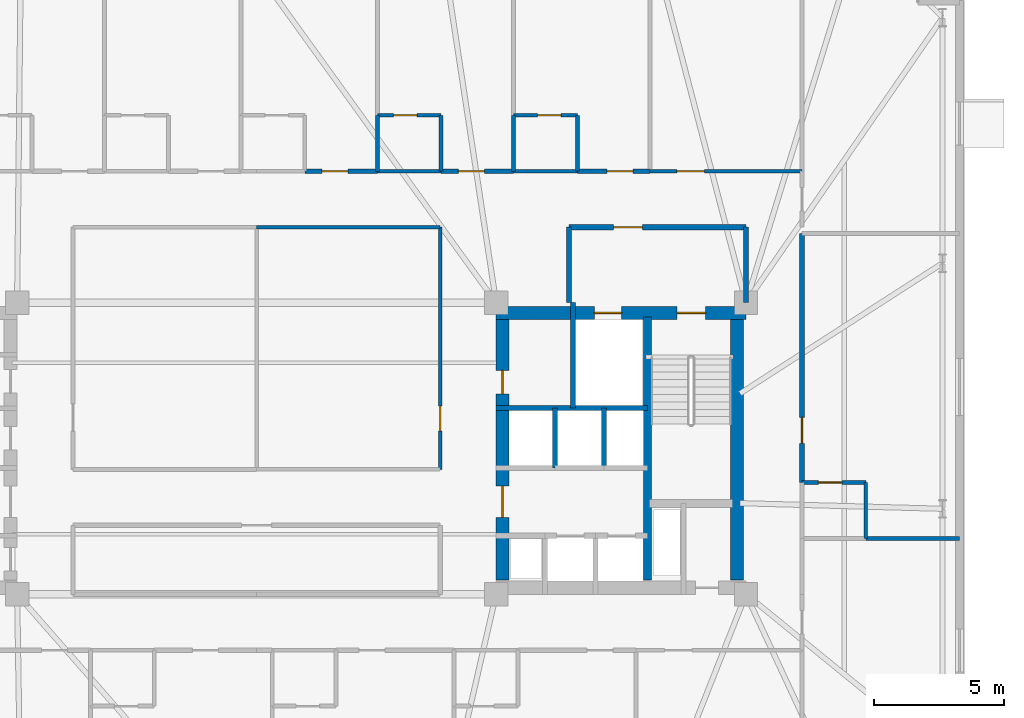
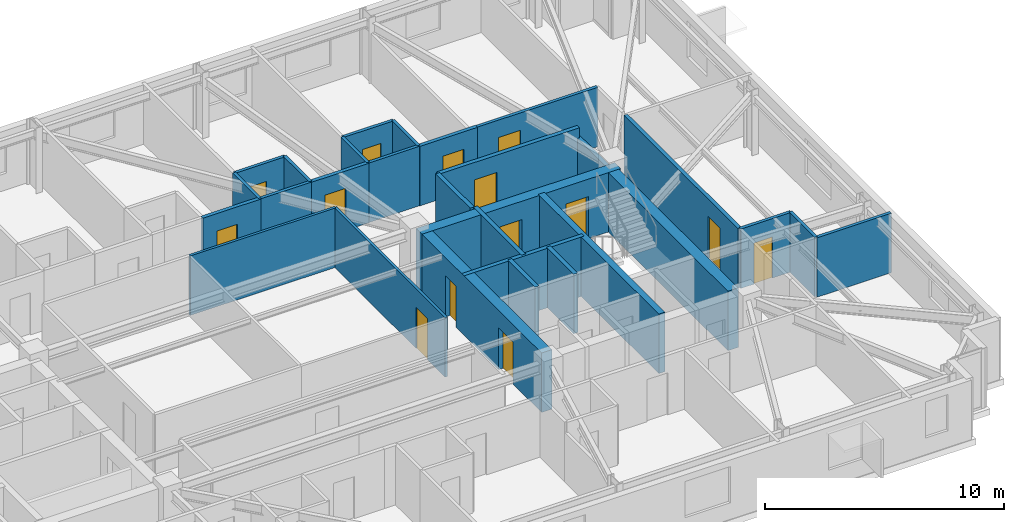
# One storey, part 14 of 17: 29 walls, 14 doors, 14 openings.
"""IFC4 building model written with IfcOpenShell, lengths in metres."""

from ifc_helpers import new_model, si_unit, direction, frame, frame_2d, origin, place, context, subcontext, project, spatial, rectangle, extrude, material, layer, layer_set, type_object, element, fill, save


model = new_model("IFC4")

# Units and contexts
model_context = context("Model", 3, precision=1e-05, world=origin(), true_north=direction((0.0, 1.0)))
body_context = subcontext(model_context, "Body", "Model", "MODEL_VIEW")
ifc_project = project(units=[si_unit("LENGTHUNIT", "METRE"), si_unit("AREAUNIT", "SQUARE_METRE"), si_unit("VOLUMEUNIT", "CUBIC_METRE"), si_unit("PLANEANGLEUNIT", "RADIAN"), si_unit("MASSUNIT", "GRAM", prefix="KILO")], contexts=[model_context])

# Site, building, storey
site_placement = place(None, origin())
site = spatial("IfcSite", under=ifc_project, at=site_placement, CompositionType="ELEMENT")
building_placement = place(site_placement, origin())
building = spatial("IfcBuilding", under=site, at=building_placement, Name="Qobustan Lattice House", CompositionType="ELEMENT")
storey_placement = place(building_placement, frame((0.0, 0.0, 144.39990234375)))
storey = spatial("IfcBuildingStorey", under=building, at=storey_placement, Name="L40", CompositionType="ELEMENT", Elevation=144.39990234375)

# Wall, openings, doors
ifc_material_1 = material(Name="Concrete C50/60", Category="concrete")
ifc_layer_1 = layer(ifc_material_1, 0.5)
ifc_layer_set_1 = layer_set([ifc_layer_1], Name="Concrete C50/60")
wall_type_1 = type_object("IfcWallType", Name="WAL-CORE-500", PredefinedType="SHEAR", material=ifc_layer_set_1)
wall_1_placement = place(storey_placement, frame((9.199951171875, 5.2099609375, 0.0), z_axis=(0.0, 0.0, 1.0), x_axis=(1.0, 0.0, 0.0)))
wall_1 = element("IfcWall", 1, at=wall_1_placement, inside=storey, type_object=wall_type_1, Name="L40 split-core shear wall CE-N", PredefinedType="SHEAR", context=body_context, shape_type="SweptSolid", body=[
    extrude(rectangle(XDim=9.60009765625, YDim=0.5, at=frame_2d((4.800048828125, 0.0))), origin(), (0.0, 0.0, 1.0), 3.0400390625),
])
opening_1_placement = place(wall_1_placement, frame((6.949951171875, 0.0, 0.0)))
opening_1 = element("IfcOpeningElement", 2, at=opening_1_placement, cuts=wall_1, Name="Opening SD-01", PredefinedType="OPENING", context=body_context, shape_type="SweptSolid", body=[
    extrude(rectangle(XDim=1.10009765625, YDim=2.14990234375, at=frame_2d((0.550048828125, 1.074951171875))), frame((0.0, 0.260009765625, 0.0), z_axis=(0.0, -1.0, 0.0), x_axis=(1.0, 0.0, 0.0)), (0.0, 0.0, 1.0), 0.52001953125),
])
opening_2_placement = place(wall_1_placement, frame((3.77490234375, 0.0, 0.0)))
opening_2 = element("IfcOpeningElement", 3, at=opening_2_placement, cuts=wall_1, Name="Opening LD-01", PredefinedType="OPENING", context=body_context, shape_type="SweptSolid", body=[
    extrude(rectangle(XDim=1.050048828125, YDim=2.10009765625, at=frame_2d((0.52490234375, 1.050048828125))), frame((0.0, 0.260009765625, 0.0), z_axis=(0.0, -1.0, 0.0), x_axis=(1.0, 0.0, 0.0)), (0.0, 0.0, 1.0), 0.52001953125),
])
ifc_material_2 = material(Name="Persian walnut timber and steel frame door", Category="steel")
door_type_1 = type_object("IfcDoorType", Name="DOR-LIFT-LD-1050x2100", OperationType="NOTDEFINED", PredefinedType="DOOR", material=ifc_material_2)
door_1_placement = place(opening_2_placement, origin())
door_1 = element("IfcDoor", 4, at=door_1_placement, inside=storey, type_object=door_type_1, Name="L40 firefighting lift FF-E landing door", OperationType="DOUBLE_DOOR_SLIDING", OverallHeight=2.10009765625, OverallWidth=1.050048828125, PredefinedType="DOOR", context=body_context, shape_type="SweptSolid", body=[
    extrude(rectangle(XDim=1.050048828125, YDim=2.10009765625, at=frame_2d((0.52490234375, 1.050048828125))), frame((0.0, 0.02490234375, 0.0), z_axis=(0.0, -1.0, 0.0), x_axis=(1.0, 0.0, 0.0)), (0.0, 0.0, 1.0), 0.050048828125),
])
fill(opening_2, door_1)
ifc_material_3 = material(Name="Persian walnut timber and steel frame door", Category="steel")
door_type_2 = type_object("IfcDoorType", Name="DOR-STAIR-FD-1100x2150", OperationType="NOTDEFINED", PredefinedType="DOOR", material=ifc_material_3)
door_2_placement = place(opening_1_placement, origin())
door_2 = element("IfcDoor", 5, at=door_2_placement, inside=storey, type_object=door_type_2, Name="L40 exit stair ST-E1 fire door", OperationType="SINGLE_SWING_RIGHT", OverallHeight=2.14990234375, OverallWidth=1.10009765625, PredefinedType="DOOR", context=body_context, shape_type="SweptSolid", body=[
    extrude(rectangle(XDim=1.10009765625, YDim=2.14990234375, at=frame_2d((0.550048828125, 1.074951171875))), frame((0.0, 0.02490234375, 0.0), z_axis=(0.0, -1.0, 0.0), x_axis=(1.0, 0.0, 0.0)), (0.0, 0.0, 1.0), 0.050048828125),
])
fill(opening_1, door_2)

wall_2_placement = place(storey_placement, frame((9.449951171875, -5.050048828125, 0.0), z_axis=(0.0, 0.0, 1.0), x_axis=(0.0, 1.0, 0.0)))
wall_2 = element("IfcWall", 6, at=wall_2_placement, inside=storey, type_object=wall_type_1, Name="L40 split-core shear wall CE-W", PredefinedType="SHEAR", context=body_context, shape_type="SweptSolid", body=[
    extrude(rectangle(XDim=10.10009765625, YDim=0.5, at=frame_2d((5.050048828125, 0.0))), origin(), (0.0, 0.0, 1.0), 3.0400390625),
])
opening_3_placement = place(wall_2_placement, frame((7.14990234375, 0.0, 0.0)))
opening_3 = element("IfcOpeningElement", 7, at=opening_3_placement, cuts=wall_2, Name="Opening RD-01", PredefinedType="OPENING", context=body_context, shape_type="SweptSolid", body=[
    extrude(rectangle(XDim=0.89990234375, YDim=2.10009765625, at=frame_2d((0.449951171875, 1.050048828125))), frame((0.0, 0.260009765625, 0.0), z_axis=(0.0, -1.0, 0.0), x_axis=(1.0, 0.0, 0.0)), (0.0, 0.0, 1.0), 0.52001953125),
])
opening_4_placement = place(wall_2_placement, frame((2.39990234375, 0.0, 0.0)))
opening_4 = element("IfcOpeningElement", 8, at=opening_4_placement, cuts=wall_2, Name="Opening FD-01", PredefinedType="OPENING", context=body_context, shape_type="SweptSolid", body=[
    extrude(rectangle(XDim=1.199951171875, YDim=2.14990234375, at=frame_2d((0.60009765625, 1.074951171875))), frame((0.0, 0.260009765625, 0.0), z_axis=(0.0, -1.0, 0.0), x_axis=(1.0, 0.0, 0.0)), (0.0, 0.0, 1.0), 0.52001953125),
])
ifc_material_4 = material(Name="Persian walnut timber and steel frame door", Category="steel")
door_type_3 = type_object("IfcDoorType", Name="DOR-LOBBY-FD-1200x2150", OperationType="NOTDEFINED", PredefinedType="DOOR", material=ifc_material_4)
door_3_placement = place(opening_4_placement, origin())
door_3 = element("IfcDoor", 9, at=door_3_placement, inside=storey, type_object=door_type_3, Name="L40 East passenger lift lobby fire door", OperationType="SINGLE_SWING_LEFT", OverallHeight=2.14990234375, OverallWidth=1.199951171875, PredefinedType="DOOR", context=body_context, shape_type="SweptSolid", body=[
    extrude(rectangle(XDim=1.199951171875, YDim=2.14990234375, at=frame_2d((0.60009765625, 1.074951171875))), frame((0.0, 0.02490234375, 0.0), z_axis=(0.0, -1.0, 0.0), x_axis=(1.0, 0.0, 0.0)), (0.0, 0.0, 1.0), 0.050048828125),
])
fill(opening_4, door_3)
ifc_material_5 = material(Name="Persian walnut timber and steel frame door", Category="steel")
door_type_4 = type_object("IfcDoorType", Name="DOR-RISER-FD-900x2100", OperationType="NOTDEFINED", PredefinedType="DOOR", material=ifc_material_5)
door_4_placement = place(opening_3_placement, origin())
door_4 = element("IfcDoor", 10, at=door_4_placement, inside=storey, type_object=door_type_4, Name="L40 Housekeeping linen store fire door", OperationType="SINGLE_SWING_RIGHT", OverallHeight=2.10009765625, OverallWidth=0.89990234375, PredefinedType="DOOR", context=body_context, shape_type="SweptSolid", body=[
    extrude(rectangle(XDim=0.89990234375, YDim=2.10009765625, at=frame_2d((0.449951171875, 1.050048828125))), frame((0.0, 0.02490234375, 0.0), z_axis=(0.0, -1.0, 0.0), x_axis=(1.0, 0.0, 0.0)), (0.0, 0.0, 1.0), 0.050048828125),
])
fill(opening_3, door_4)

# Walls
wall_3_placement = place(storey_placement, frame((18.4599609375, -5.050048828125, 0.0), z_axis=(0.0, 0.0, 1.0), x_axis=(0.0, 1.0, 0.0)))
element("IfcWall", 11, at=wall_3_placement, inside=storey, type_object=wall_type_1, Name="L40 split-core shear wall CE-E", PredefinedType="SHEAR", context=body_context, shape_type="SweptSolid", body=[
    extrude(rectangle(XDim=10.10009765625, YDim=0.5, at=frame_2d((5.050048828125, 0.0))), origin(), (0.0, 0.0, 1.0), 3.0400390625),
])
ifc_material_6 = material(Name="Concrete C50/60", Category="concrete")
ifc_layer_2 = layer(ifc_material_6, 0.280029296875)
ifc_layer_set_2 = layer_set([ifc_layer_2], Name="Concrete C50/60")
wall_type_2 = type_object("IfcWallType", Name="WAL-CORE-SPINE-280", PredefinedType="SHEAR", material=ifc_layer_set_2)
wall_4_placement = place(storey_placement, frame((15.02001953125, -5.050048828125, 0.0), z_axis=(0.0, 0.0, 1.0), x_axis=(0.0, 1.0, 0.0)))
element("IfcWall", 12, at=wall_4_placement, inside=storey, type_object=wall_type_2, Name="L40 split-core shear wall CE-M", PredefinedType="SHEAR", context=body_context, shape_type="SweptSolid", body=[
    extrude(rectangle(XDim=10.10009765625, YDim=0.300048828125, at=frame_2d((5.050048828125, 0.0))), origin(), (0.0, 0.0, 1.0), 3.0400390625),
])

# Wall, opening, door
ifc_material_7 = material(Name="Gypsum fireboard acoustic partition", Category="gypsum")
ifc_layer_3 = layer(ifc_material_7, 0.179931640625)
ifc_layer_set_3 = layer_set([ifc_layer_3], Name="Gypsum fireboard acoustic partition")
wall_type_3 = type_object("IfcWallType", Name="WAL-FIRE-180", PredefinedType="PARTITIONING", material=ifc_layer_set_3)
wall_5_placement = place(storey_placement, frame((1.85009765625, 10.64990234375, 0.0), z_axis=(0.0, 0.0, 1.0), x_axis=(1.0, 0.0, 0.0)))
wall_5 = element("IfcWall", 13, at=wall_5_placement, inside=storey, type_object=wall_type_3, Name="L40 interior partition 43", PredefinedType="PARTITIONING", context=body_context, shape_type="SweptSolid", body=[
    extrude(rectangle(XDim=2.787841796875, YDim=0.179931640625, at=frame_2d((1.39404296875, 0.0))), origin(), (0.0, 0.0, 1.0), 3.0400390625),
])
opening_5_placement = place(wall_5_placement, frame((0.658447265625, 0.0, 0.0)))
opening_5 = element("IfcOpeningElement", 14, at=opening_5_placement, cuts=wall_5, Name="Opening FD-02", PredefinedType="OPENING", context=body_context, shape_type="SweptSolid", body=[
    extrude(rectangle(XDim=1.0, YDim=2.14990234375, at=frame_2d((0.5, 1.074951171875))), frame((0.0, 0.099853515625, 0.0), z_axis=(0.0, -1.0, 0.0), x_axis=(1.0, 0.0, 0.0)), (0.0, 0.0, 1.0), 0.199951171875),
])
ifc_material_8 = material(Name="Persian walnut timber and steel frame door", Category="steel")
door_type_5 = type_object("IfcDoorType", Name="DOR-UNIT-FD-1000x2150", OperationType="NOTDEFINED", PredefinedType="DOOR", material=ifc_material_8)
door_5_placement = place(opening_5_placement, origin())
door_5 = element("IfcDoor", 15, at=door_5_placement, inside=storey, type_object=door_type_5, Name="L40 North-east floor corridor to Kitchenette and studio apartment L40-N5 door", OperationType="SINGLE_SWING_LEFT", OverallHeight=2.14990234375, OverallWidth=1.0, PredefinedType="DOOR", context=body_context, shape_type="SweptSolid", body=[
    extrude(rectangle(XDim=1.0, YDim=2.14990234375, at=frame_2d((0.5, 1.074951171875))), frame((0.0, 0.02490234375, 0.0), z_axis=(0.0, -1.0, 0.0), x_axis=(1.0, 0.0, 0.0)), (0.0, 0.0, 1.0), 0.050048828125),
])
fill(opening_5, door_5)

wall_6_placement = place(storey_placement, frame((7.087890625, 10.64990234375, 0.0), z_axis=(0.0, 0.0, 1.0), x_axis=(1.0, 0.0, 0.0)))
wall_6 = element("IfcWall", 16, at=wall_6_placement, inside=storey, type_object=wall_type_3, Name="L40 interior partition 45", PredefinedType="PARTITIONING", context=body_context, shape_type="SweptSolid", body=[
    extrude(rectangle(XDim=2.787109375, YDim=0.179931640625, at=frame_2d((1.3935546875, 0.0))), origin(), (0.0, 0.0, 1.0), 3.0400390625),
])
opening_6_placement = place(wall_6_placement, frame((0.658447265625, 0.0, 0.0)))
opening_6 = element("IfcOpeningElement", 17, at=opening_6_placement, cuts=wall_6, Name="Opening FD-02", PredefinedType="OPENING", context=body_context, shape_type="SweptSolid", body=[
    extrude(rectangle(XDim=1.0, YDim=2.14990234375, at=frame_2d((0.5, 1.074951171875))), frame((0.0, 0.099853515625, 0.0), z_axis=(0.0, -1.0, 0.0), x_axis=(1.0, 0.0, 0.0)), (0.0, 0.0, 1.0), 0.199951171875),
])
door_6_placement = place(opening_6_placement, origin())
door_6 = element("IfcDoor", 18, at=door_6_placement, inside=storey, type_object=door_type_5, Name="L40 North-east floor corridor to Kitchenette and studio apartment L40-N6 door", OperationType="SINGLE_SWING_RIGHT", OverallHeight=2.14990234375, OverallWidth=1.0, PredefinedType="DOOR", context=body_context, shape_type="SweptSolid", body=[
    extrude(rectangle(XDim=1.0, YDim=2.14990234375, at=frame_2d((0.5, 1.074951171875))), frame((0.0, 0.02490234375, 0.0), z_axis=(0.0, -1.0, 0.0), x_axis=(1.0, 0.0, 0.0)), (0.0, 0.0, 1.0), 0.050048828125),
])
fill(opening_6, door_6)

wall_7_placement = place(storey_placement, frame((12.324951171875, 10.64990234375, 0.0), z_axis=(0.0, 0.0, 1.0), x_axis=(1.0, 0.0, 0.0)))
wall_7 = element("IfcWall", 19, at=wall_7_placement, inside=storey, type_object=wall_type_3, Name="L40 interior partition 47", PredefinedType="PARTITIONING", context=body_context, shape_type="SweptSolid", body=[
    extrude(rectangle(XDim=2.7880859375, YDim=0.179931640625, at=frame_2d((1.39404296875, 0.0))), origin(), (0.0, 0.0, 1.0), 3.0400390625),
])
opening_7_placement = place(wall_7_placement, frame((1.12939453125, 0.0, 0.0)))
opening_7 = element("IfcOpeningElement", 20, at=opening_7_placement, cuts=wall_7, Name="Opening FD-02", PredefinedType="OPENING", context=body_context, shape_type="SweptSolid", body=[
    extrude(rectangle(XDim=1.0, YDim=2.14990234375, at=frame_2d((0.5, 1.074951171875))), frame((0.0, 0.099853515625, 0.0), z_axis=(0.0, -1.0, 0.0), x_axis=(1.0, 0.0, 0.0)), (0.0, 0.0, 1.0), 0.199951171875),
])
door_7_placement = place(opening_7_placement, origin())
door_7 = element("IfcDoor", 21, at=door_7_placement, inside=storey, type_object=door_type_5, Name="L40 North-east floor corridor to Kitchenette and studio apartment L40-N7 door", OperationType="SINGLE_SWING_LEFT", OverallHeight=2.14990234375, OverallWidth=1.0, PredefinedType="DOOR", context=body_context, shape_type="SweptSolid", body=[
    extrude(rectangle(XDim=1.0, YDim=2.14990234375, at=frame_2d((0.5, 1.074951171875))), frame((0.0, 0.02490234375, 0.0), z_axis=(0.0, -1.0, 0.0), x_axis=(1.0, 0.0, 0.0)), (0.0, 0.0, 1.0), 0.050048828125),
])
fill(opening_7, door_7)

wall_8_placement = place(storey_placement, frame((20.949951171875, 8.260009765625, 0.0), z_axis=(0.0, 0.0, 1.0), x_axis=(0.0, -1.0, 0.0)))
wall_8 = element("IfcWall", 22, at=wall_8_placement, inside=storey, type_object=wall_type_3, Name="L40 interior partition 70", PredefinedType="PARTITIONING", context=body_context, shape_type="SweptSolid", body=[
    extrude(rectangle(XDim=9.570068359375, YDim=0.179931640625, at=frame_2d((4.78515625, 0.0))), origin(), (0.0, 0.0, 1.0), 3.0400390625),
])
opening_8_placement = place(wall_8_placement, frame((7.063720703125, 0.0, 0.0)))
opening_8 = element("IfcOpeningElement", 23, at=opening_8_placement, cuts=wall_8, Name="Opening FD-02", PredefinedType="OPENING", context=body_context, shape_type="SweptSolid", body=[
    extrude(rectangle(XDim=1.0, YDim=2.14990234375, at=frame_2d((0.5, 1.074951171875))), frame((0.0, 0.099853515625, 0.0), z_axis=(0.0, -1.0, 0.0), x_axis=(1.0, 0.0, 0.0)), (0.0, 0.0, 1.0), 0.199951171875),
])
door_8_placement = place(opening_8_placement, origin())
door_8 = element("IfcDoor", 24, at=door_8_placement, inside=storey, type_object=door_type_5, Name="L40 East wing spine gallery to Kitchenette and studio apartment L40-E2 door", OperationType="SINGLE_SWING_RIGHT", OverallHeight=2.14990234375, OverallWidth=1.0, PredefinedType="DOOR", context=body_context, shape_type="SweptSolid", body=[
    extrude(rectangle(XDim=1.0, YDim=2.14990234375, at=frame_2d((0.5, 1.074951171875))), frame((0.0, 0.02490234375, 0.0), z_axis=(0.0, -1.0, 0.0), x_axis=(1.0, 0.0, 0.0)), (0.0, 0.0, 1.0), 0.050048828125),
])
fill(opening_8, door_8)

# Wall
ifc_material_9 = material(Name="Lightweight acoustic stud partition", Category="gypsum")
ifc_layer_4 = layer(ifc_material_9, 0.125)
ifc_layer_set_4 = layer_set([ifc_layer_4], Name="Lightweight acoustic stud partition")
wall_type_4 = type_object("IfcWallType", Name="WAL-PART-125", PredefinedType="PARTITIONING", material=ifc_layer_set_4)
wall_9_placement = place(storey_placement, frame((7.050048828125, 8.5, 0.0), z_axis=(0.0, 0.0, 1.0), x_axis=(-1.0, 0.0, 0.0)))
element("IfcWall", 25, at=wall_9_placement, inside=storey, type_object=wall_type_4, Name="L40 interior partition 50", PredefinedType="PARTITIONING", context=body_context, shape_type="SweptSolid", body=[
    extrude(rectangle(XDim=7.050048828125, YDim=0.125, at=frame_2d((3.52490234375, 0.0))), origin(), (0.0, 0.0, 1.0), 3.0400390625),
])

# Wall, opening, door
wall_10_placement = place(storey_placement, frame((7.050048828125, -0.800048828125, 0.0), z_axis=(0.0, 0.0, 1.0), x_axis=(0.0, 1.0, 0.0)))
wall_10 = element("IfcWall", 26, at=wall_10_placement, inside=storey, type_object=wall_type_4, Name="L40 interior partition 77", PredefinedType="PARTITIONING", context=body_context, shape_type="SweptSolid", body=[
    extrude(rectangle(XDim=9.300048828125, YDim=0.125, at=frame_2d((4.64990234375, 0.0))), origin(), (0.0, 0.0, 1.0), 3.0400390625),
])
opening_9_placement = place(wall_10_placement, frame((1.478759765625, 0.0, 0.0)))
opening_9 = element("IfcOpeningElement", 27, at=opening_9_placement, cuts=wall_10, Name="Opening ID-01", PredefinedType="OPENING", context=body_context, shape_type="SweptSolid", body=[
    extrude(rectangle(XDim=0.949951171875, YDim=2.10009765625, at=frame_2d((0.47509765625, 1.050048828125))), frame((0.0, 0.072509765625, 0.0), z_axis=(0.0, -1.0, 0.0), x_axis=(1.0, 0.0, 0.0)), (0.0, 0.0, 1.0), 0.14501953125),
])
ifc_material_10 = material(Name="Persian walnut timber and steel frame door", Category="steel")
door_type_6 = type_object("IfcDoorType", Name="DOR-ROOM-950x2100", OperationType="NOTDEFINED", PredefinedType="DOOR", material=ifc_material_10)
door_9_placement = place(opening_9_placement, origin())
door_9 = element("IfcDoor", 28, at=door_9_placement, inside=storey, type_object=door_type_6, Name="L40 East floor link corridor to Focus booth salon door", OperationType="SINGLE_SWING_LEFT", OverallHeight=2.10009765625, OverallWidth=0.949951171875, PredefinedType="DOOR", context=body_context, shape_type="SweptSolid", body=[
    extrude(rectangle(XDim=0.949951171875, YDim=2.10009765625, at=frame_2d((0.47509765625, 1.050048828125))), frame((0.0, 0.02490234375, 0.0), z_axis=(0.0, -1.0, 0.0), x_axis=(1.0, 0.0, 0.0)), (0.0, 0.0, 1.0), 0.050048828125),
])
fill(opening_9, door_9)

ifc_material_11 = material(Name="Acoustic twin-stud gypsum partition", Category="gypsum")
ifc_layer_5 = layer(ifc_material_11, 0.14990234375)
ifc_layer_set_5 = layer_set([ifc_layer_5], Name="Acoustic twin-stud gypsum partition")
wall_type_5 = type_object("IfcWallType", Name="WAL-PART-150", PredefinedType="PARTITIONING", material=ifc_layer_set_5)
wall_11_placement = place(storey_placement, frame((15.113037109375, 10.64990234375, 0.0), z_axis=(0.0, 0.0, 1.0), x_axis=(1.0, 0.0, 0.0)))
wall_11 = element("IfcWall", 29, at=wall_11_placement, inside=storey, type_object=wall_type_5, Name="L40 interior partition 49", PredefinedType="PARTITIONING", context=body_context, shape_type="SweptSolid", body=[
    extrude(rectangle(XDim=5.8369140625, YDim=0.14990234375, at=frame_2d((2.91845703125, 0.0))), origin(), (0.0, 0.0, 1.0), 3.0400390625),
])
opening_10_placement = place(wall_11_placement, frame((1.033447265625, 0.0, 0.0)))
opening_10 = element("IfcOpeningElement", 30, at=opening_10_placement, cuts=wall_11, Name="Opening ID-02", PredefinedType="OPENING", context=body_context, shape_type="SweptSolid", body=[
    extrude(rectangle(XDim=1.050048828125, YDim=2.14990234375, at=frame_2d((0.52490234375, 1.074951171875))), frame((0.0, 0.0849609375, 0.0), z_axis=(0.0, -1.0, 0.0), x_axis=(1.0, 0.0, 0.0)), (0.0, 0.0, 1.0), 0.169921875),
])
ifc_material_12 = material(Name="Persian walnut timber and steel frame door", Category="steel")
door_type_7 = type_object("IfcDoorType", Name="DOR-STUDY-1050x2150", OperationType="NOTDEFINED", PredefinedType="DOOR", material=ifc_material_12)
door_10_placement = place(opening_10_placement, origin())
door_10 = element("IfcDoor", 31, at=door_10_placement, inside=storey, type_object=door_type_7, Name="L40 North-east floor corridor to Focus study room N8 door", OperationType="SINGLE_SWING_RIGHT", OverallHeight=2.14990234375, OverallWidth=1.050048828125, PredefinedType="DOOR", context=body_context, shape_type="SweptSolid", body=[
    extrude(rectangle(XDim=1.050048828125, YDim=2.14990234375, at=frame_2d((0.52490234375, 1.074951171875))), frame((0.0, 0.02490234375, 0.0), z_axis=(0.0, -1.0, 0.0), x_axis=(1.0, 0.0, 0.0)), (0.0, 0.0, 1.0), 0.050048828125),
])
fill(opening_10, door_10)

# Wall
wall_12_placement = place(storey_placement, frame((23.39990234375, -3.4599609375, 0.0), z_axis=(0.0, 0.0, 1.0), x_axis=(1.0, 0.0, 0.0)))
element("IfcWall", 32, at=wall_12_placement, inside=storey, type_object=wall_type_5, Name="L40 interior partition 90", PredefinedType="PARTITIONING", context=body_context, shape_type="SweptSolid", body=[
    extrude(rectangle(XDim=3.60009765625, YDim=0.14990234375, at=frame_2d((1.800048828125, 0.0))), origin(), (0.0, 0.0, 1.0), 3.0400390625),
])

# Wall, opening, door
ifc_material_13 = material(Name="Two-hour gypsum fireboard acoustic partition", Category="gypsum")
ifc_layer_6 = layer(ifc_material_13, 0.199951171875)
ifc_layer_set_6 = layer_set([ifc_layer_6], Name="Two-hour gypsum fireboard acoustic partition")
wall_type_6 = type_object("IfcWallType", Name="WAL-PROT-200", PredefinedType="PARTITIONING", material=ifc_layer_set_6)
wall_13_placement = place(storey_placement, frame((18.800048828125, 8.5, 0.0), z_axis=(0.0, 0.0, 1.0), x_axis=(-1.0, 0.0, 0.0)))
wall_13 = element("IfcWall", 33, at=wall_13_placement, inside=storey, type_object=wall_type_6, Name="L40 interior partition 17", PredefinedType="PARTITIONING", context=body_context, shape_type="SweptSolid", body=[
    extrude(rectangle(XDim=6.800048828125, YDim=0.199951171875, at=frame_2d((3.39990234375, 0.0))), origin(), (0.0, 0.0, 1.0), 3.0400390625),
])
opening_11_placement = place(wall_13_placement, frame((3.985107421875, 0.0, 0.0)))
opening_11 = element("IfcOpeningElement", 34, at=opening_11_placement, cuts=wall_13, Name="Opening SD-01", PredefinedType="OPENING", context=body_context, shape_type="SweptSolid", body=[
    extrude(rectangle(XDim=1.10009765625, YDim=2.14990234375, at=frame_2d((0.550048828125, 1.074951171875))), frame((0.0, 0.10986328125, 0.0), z_axis=(0.0, -1.0, 0.0), x_axis=(1.0, 0.0, 0.0)), (0.0, 0.0, 1.0), 0.219970703125),
])
door_11_placement = place(opening_11_placement, origin())
door_11 = element("IfcDoor", 35, at=door_11_placement, inside=storey, type_object=door_type_2, Name="L40 East firefighting lift lobby to North-east floor corridor door", OperationType="SINGLE_SWING_LEFT", OverallHeight=2.14990234375, OverallWidth=1.10009765625, PredefinedType="DOOR", context=body_context, shape_type="SweptSolid", body=[
    extrude(rectangle(XDim=1.10009765625, YDim=2.14990234375, at=frame_2d((0.550048828125, 1.074951171875))), frame((0.0, 0.02490234375, 0.0), z_axis=(0.0, -1.0, 0.0), x_axis=(1.0, 0.0, 0.0)), (0.0, 0.0, 1.0), 0.050048828125),
])
fill(opening_11, door_11)

# Walls
wall_14_placement = place(storey_placement, frame((18.800048828125, 5.60009765625, 0.0), z_axis=(0.0, 0.0, 1.0), x_axis=(0.0, 1.0, 0.0)))
element("IfcWall", 36, at=wall_14_placement, inside=storey, type_object=wall_type_6, Name="L40 interior partition 18", PredefinedType="PARTITIONING", context=body_context, shape_type="SweptSolid", body=[
    extrude(rectangle(XDim=2.89990234375, YDim=0.199951171875, at=frame_2d((1.449951171875, 0.0))), origin(), (0.0, 0.0, 1.0), 2.525146484375),
])
wall_15_placement = place(storey_placement, frame((12.0, 8.5, 0.0), z_axis=(0.0, 0.0, 1.0), x_axis=(0.0, -1.0, 0.0)))
element("IfcWall", 37, at=wall_15_placement, inside=storey, type_object=wall_type_6, Name="L40 interior partition 19", PredefinedType="PARTITIONING", context=body_context, shape_type="SweptSolid", body=[
    extrude(rectangle(XDim=2.89990234375, YDim=0.199951171875, at=frame_2d((1.449951171875, 0.0))), origin(), (0.0, 0.0, 1.0), 3.0400390625),
])
ifc_material_14 = material(Name="Concrete C40/50", Category="concrete")
ifc_layer_7 = layer(ifc_material_14, 0.199951171875)
ifc_layer_set_7 = layer_set([ifc_layer_7], Name="Concrete C40/50")
wall_type_7 = type_object("IfcWallType", Name="WAL-SHAFT-200", PredefinedType="PARTITIONING", material=ifc_layer_set_7)
wall_16_placement = place(storey_placement, frame((12.14990234375, 5.60009765625, 0.0), z_axis=(0.0, 0.0, 1.0), x_axis=(0.0, -1.0, 0.0)))
element("IfcWall", 38, at=wall_16_placement, inside=storey, type_object=wall_type_7, Name="L40 interior partition 16", PredefinedType="PARTITIONING", context=body_context, shape_type="SweptSolid", body=[
    extrude(rectangle(XDim=4.050048828125, YDim=0.199951171875, at=frame_2d((2.02490234375, 0.0))), origin(), (0.0, 0.0, 1.0), 3.0400390625),
])
for number, where, z_axis, x_axis, name in (
    (39, (11.4599609375, -0.75, 0.0), (0.0, 0.0, 1.0), (0.0, 1.0, 0.0), "L40 interior partition 30"),
    (40, (13.340087890625, -0.75, 0.0), (0.0, 0.0, 1.0), (0.0, 1.0, 0.0), "L40 interior partition 31"),
):
    element("IfcWall", number, at=place(storey_placement, frame(where, z_axis=z_axis, x_axis=x_axis)), inside=storey, type_object=wall_type_7, Name=name, PredefinedType="PARTITIONING", context=body_context, shape_type="SweptSolid", body=[
        extrude(rectangle(XDim=2.300048828125, YDim=0.199951171875, at=frame_2d((1.14990234375, 0.0))), origin(), (0.0, 0.0, 1.0), 3.0400390625),
    ])
wall_17_placement = place(storey_placement, frame((9.199951171875, 1.550048828125, 0.0), z_axis=(0.0, 0.0, 1.0), x_axis=(1.0, 0.0, 0.0)))
element("IfcWall", 41, at=wall_17_placement, inside=storey, type_object=wall_type_7, Name="L40 interior partition 139", PredefinedType="PARTITIONING", context=body_context, shape_type="SweptSolid", body=[
    extrude(rectangle(XDim=5.820068359375, YDim=0.199951171875, at=frame_2d((2.91015625, 0.0))), origin(), (0.0, 0.0, 1.0), 3.0400390625),
])
ifc_material_15 = material(Name="Moisture-resistant acoustic plumbing wall", Category="gypsum")
ifc_layer_8 = layer(ifc_material_15, 0.14990234375)
ifc_layer_set_8 = layer_set([ifc_layer_8], Name="Moisture-resistant acoustic plumbing wall")
wall_type_8 = type_object("IfcWallType", Name="WAL-WET-150", PredefinedType="PLUMBINGWALL", material=ifc_layer_set_8)
for number, where, z_axis, x_axis, name in (
    (42, (4.637939453125, 10.64990234375, 0.0), (0.0, 0.0, 1.0), (1.0, 0.0, 0.0), "L40 interior partition 46"),
    (43, (9.875, 10.64990234375, 0.0), (0.0, 0.0, 1.0), (1.0, 0.0, 0.0), "L40 interior partition 48"),
):
    element("IfcWall", number, at=place(storey_placement, frame(where, z_axis=z_axis, x_axis=x_axis)), inside=storey, type_object=wall_type_8, Name=name, PredefinedType="PLUMBINGWALL", context=body_context, shape_type="SweptSolid", body=[
        extrude(rectangle(XDim=2.449951171875, YDim=0.14990234375, at=frame_2d((1.22509765625, 0.0))), origin(), (0.0, 0.0, 1.0), 3.0400390625),
    ])

# Wall, opening, door
wall_18_placement = place(storey_placement, frame((23.39990234375, -1.31005859375, 0.0), z_axis=(0.0, 0.0, 1.0), x_axis=(-1.0, 0.0, 0.0)))
wall_18 = element("IfcWall", 44, at=wall_18_placement, inside=storey, type_object=wall_type_8, Name="L40 interior partition 93", PredefinedType="PLUMBINGWALL", context=body_context, shape_type="SweptSolid", body=[
    extrude(rectangle(XDim=2.449951171875, YDim=0.14990234375, at=frame_2d((1.22509765625, 0.0))), origin(), (0.0, 0.0, 1.0), 3.0400390625),
])
opening_12_placement = place(wall_18_placement, frame((0.921142578125, 0.0, 0.0)))
opening_12 = element("IfcOpeningElement", 45, at=opening_12_placement, cuts=wall_18, Name="Opening WD-01", PredefinedType="OPENING", context=body_context, shape_type="SweptSolid", body=[
    extrude(rectangle(XDim=0.89990234375, YDim=2.10009765625, at=frame_2d((0.449951171875, 1.050048828125))), frame((0.0, 0.0849609375, 0.0), z_axis=(0.0, -1.0, 0.0), x_axis=(1.0, 0.0, 0.0)), (0.0, 0.0, 1.0), 0.169921875),
])
ifc_material_16 = material(Name="Persian walnut timber and steel frame door", Category="steel")
door_type_8 = type_object("IfcDoorType", Name="DOR-WET-900x2100", OperationType="NOTDEFINED", PredefinedType="DOOR", material=ifc_material_16)
door_12_placement = place(opening_12_placement, origin())
door_12 = element("IfcDoor", 46, at=door_12_placement, inside=storey, type_object=door_type_8, Name="L40 Kitchenette and studio apartment L40-E2 to En-suite bathroom L40-E2 door", OperationType="SINGLE_SWING_LEFT", OverallHeight=2.10009765625, OverallWidth=0.89990234375, PredefinedType="DOOR", context=body_context, shape_type="SweptSolid", body=[
    extrude(rectangle(XDim=0.89990234375, YDim=2.10009765625, at=frame_2d((0.449951171875, 1.050048828125))), frame((0.0, 0.02490234375, 0.0), z_axis=(0.0, -1.0, 0.0), x_axis=(1.0, 0.0, 0.0)), (0.0, 0.0, 1.0), 0.050048828125),
])
fill(opening_12, door_12)

# Walls
wall_19_placement = place(storey_placement, frame((23.39990234375, -3.4599609375, 0.0), z_axis=(0.0, 0.0, 1.0), x_axis=(0.0, 1.0, 0.0)))
element("IfcWall", 47, at=wall_19_placement, inside=storey, type_object=wall_type_8, Name="L40 interior partition 94", PredefinedType="PLUMBINGWALL", context=body_context, shape_type="SweptSolid", body=[
    extrude(rectangle(XDim=2.14990234375, YDim=0.14990234375, at=frame_2d((1.074951171875, 0.0))), origin(), (0.0, 0.0, 1.0), 3.0400390625),
])
wall_20_placement = place(storey_placement, frame((4.637939453125, 12.800048828125, 0.0), z_axis=(0.0, 0.0, 1.0), x_axis=(0.0, -1.0, 0.0)))
element("IfcWall", 48, at=wall_20_placement, inside=storey, type_object=wall_type_8, Name="L40 interior partition 112", PredefinedType="PLUMBINGWALL", context=body_context, shape_type="SweptSolid", body=[
    extrude(rectangle(XDim=2.150146484375, YDim=0.14990234375, at=frame_2d((1.0751953125, 0.0))), origin(), (0.0, 0.0, 1.0), 3.0400390625),
])

# Wall, opening, door
wall_21_placement = place(storey_placement, frame((7.087890625, 12.800048828125, 0.0), z_axis=(0.0, 0.0, 1.0), x_axis=(-1.0, 0.0, 0.0)))
wall_21 = element("IfcWall", 49, at=wall_21_placement, inside=storey, type_object=wall_type_8, Name="L40 interior partition 113", PredefinedType="PLUMBINGWALL", context=body_context, shape_type="SweptSolid", body=[
    extrude(rectangle(XDim=2.449951171875, YDim=0.14990234375, at=frame_2d((1.22509765625, 0.0))), origin(), (0.0, 0.0, 1.0), 3.0400390625),
])
opening_13_placement = place(wall_21_placement, frame((0.92138671875, 0.0, 0.0)))
opening_13 = element("IfcOpeningElement", 50, at=opening_13_placement, cuts=wall_21, Name="Opening WD-01", PredefinedType="OPENING", context=body_context, shape_type="SweptSolid", body=[
    extrude(rectangle(XDim=0.89990234375, YDim=2.10009765625, at=frame_2d((0.449951171875, 1.050048828125))), frame((0.0, 0.0849609375, 0.0), z_axis=(0.0, -1.0, 0.0), x_axis=(1.0, 0.0, 0.0)), (0.0, 0.0, 1.0), 0.169921875),
])
door_13_placement = place(opening_13_placement, origin())
door_13 = element("IfcDoor", 51, at=door_13_placement, inside=storey, type_object=door_type_8, Name="L40 Kitchenette and studio apartment L40-N6 to En-suite bathroom L40-N6 door", OperationType="SINGLE_SWING_LEFT", OverallHeight=2.10009765625, OverallWidth=0.89990234375, PredefinedType="DOOR", context=body_context, shape_type="SweptSolid", body=[
    extrude(rectangle(XDim=0.89990234375, YDim=2.10009765625, at=frame_2d((0.449951171875, 1.050048828125))), frame((0.0, 0.02490234375, 0.0), z_axis=(0.0, -1.0, 0.0), x_axis=(1.0, 0.0, 0.0)), (0.0, 0.0, 1.0), 0.050048828125),
])
fill(opening_13, door_13)

# Walls
for number, where, z_axis, x_axis, name in (
    (52, (7.087890625, 10.64990234375, 0.0), (0.0, 0.0, 1.0), (0.0, 1.0, 0.0), "L40 interior partition 114"),
    (53, (9.875, 12.800048828125, 0.0), (0.0, 0.0, 1.0), (0.0, -1.0, 0.0), "L40 interior partition 116"),
):
    element("IfcWall", number, at=place(storey_placement, frame(where, z_axis=z_axis, x_axis=x_axis)), inside=storey, type_object=wall_type_8, Name=name, PredefinedType="PLUMBINGWALL", context=body_context, shape_type="SweptSolid", body=[
        extrude(rectangle(XDim=2.150146484375, YDim=0.14990234375, at=frame_2d((1.0751953125, 0.0))), origin(), (0.0, 0.0, 1.0), 3.0400390625),
    ])

# Wall, opening, door
wall_22_placement = place(storey_placement, frame((12.324951171875, 12.800048828125, 0.0), z_axis=(0.0, 0.0, 1.0), x_axis=(-1.0, 0.0, 0.0)))
wall_22 = element("IfcWall", 54, at=wall_22_placement, inside=storey, type_object=wall_type_8, Name="L40 interior partition 117", PredefinedType="PLUMBINGWALL", context=body_context, shape_type="SweptSolid", body=[
    extrude(rectangle(XDim=2.449951171875, YDim=0.14990234375, at=frame_2d((1.22509765625, 0.0))), origin(), (0.0, 0.0, 1.0), 3.0400390625),
])
opening_14_placement = place(wall_22_placement, frame((0.628662109375, 0.0, 0.0)))
opening_14 = element("IfcOpeningElement", 55, at=opening_14_placement, cuts=wall_22, Name="Opening WD-01", PredefinedType="OPENING", context=body_context, shape_type="SweptSolid", body=[
    extrude(rectangle(XDim=0.89990234375, YDim=2.10009765625, at=frame_2d((0.449951171875, 1.050048828125))), frame((0.0, 0.0849609375, 0.0), z_axis=(0.0, -1.0, 0.0), x_axis=(1.0, 0.0, 0.0)), (0.0, 0.0, 1.0), 0.169921875),
])
door_14_placement = place(opening_14_placement, origin())
door_14 = element("IfcDoor", 56, at=door_14_placement, inside=storey, type_object=door_type_8, Name="L40 Kitchenette and studio apartment L40-N7 to En-suite bathroom L40-N7 door", OperationType="SINGLE_SWING_RIGHT", OverallHeight=2.10009765625, OverallWidth=0.89990234375, PredefinedType="DOOR", context=body_context, shape_type="SweptSolid", body=[
    extrude(rectangle(XDim=0.89990234375, YDim=2.10009765625, at=frame_2d((0.449951171875, 1.050048828125))), frame((0.0, 0.02490234375, 0.0), z_axis=(0.0, -1.0, 0.0), x_axis=(1.0, 0.0, 0.0)), (0.0, 0.0, 1.0), 0.050048828125),
])
fill(opening_14, door_14)

# Wall
wall_23_placement = place(storey_placement, frame((12.324951171875, 10.64990234375, 0.0), z_axis=(0.0, 0.0, 1.0), x_axis=(0.0, 1.0, 0.0)))
element("IfcWall", 57, at=wall_23_placement, inside=storey, type_object=wall_type_8, Name="L40 interior partition 118", PredefinedType="PLUMBINGWALL", context=body_context, shape_type="SweptSolid", body=[
    extrude(rectangle(XDim=2.150146484375, YDim=0.14990234375, at=frame_2d((1.0751953125, 0.0))), origin(), (0.0, 0.0, 1.0), 3.0400390625),
])

save(model, "model.ifc")
